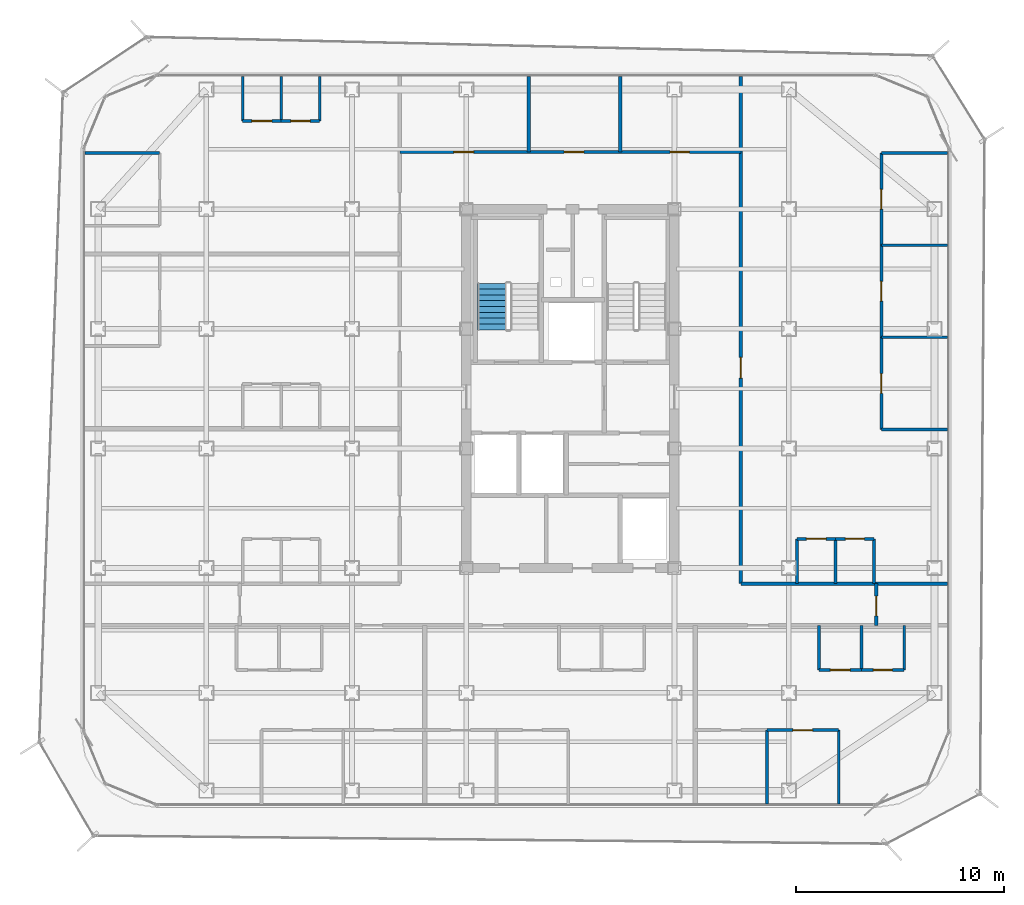
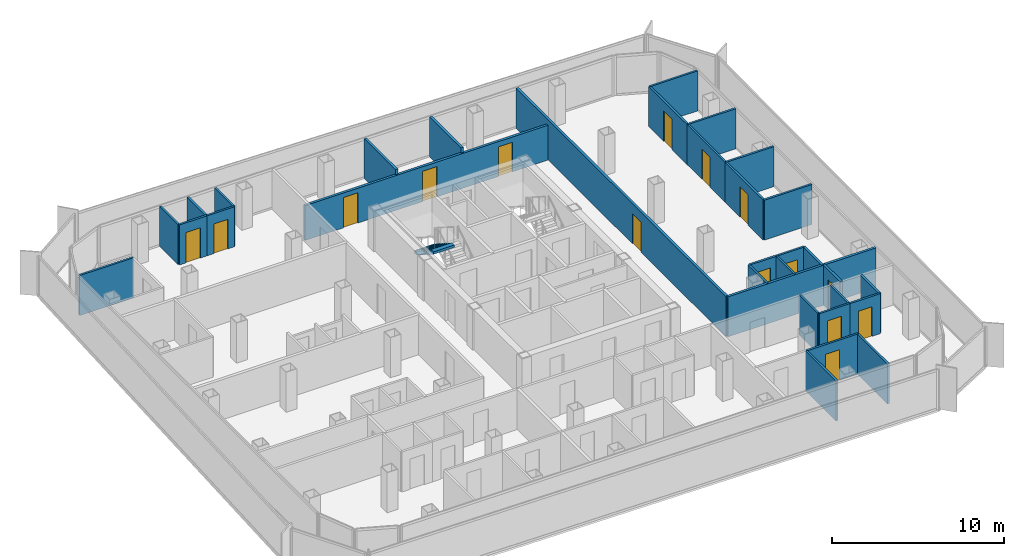
# One storey, part 12 of 16: 33 walls, 15 doors, 1 stair flight, 15 openings, 1 element without a shape of its own.
"""IFC4 building model written with IfcOpenShell, lengths in metres."""

from ifc_helpers import new_model, si_unit, direction, frame, frame_2d, origin, place, context, subcontext, project, spatial, polyline, rectangle, outline, extrude, material, layer, layer_set, type_object, element, fill, aggregate, save


model = new_model("IFC4")

# Units and contexts
model_context = context("Model", 3, precision=1e-05, world=origin(), true_north=direction((0.0, 1.0)))
body_context = subcontext(model_context, "Body", "Model", "MODEL_VIEW")
ifc_project = project(units=[si_unit("LENGTHUNIT", "METRE"), si_unit("AREAUNIT", "SQUARE_METRE"), si_unit("VOLUMEUNIT", "CUBIC_METRE"), si_unit("PLANEANGLEUNIT", "RADIAN"), si_unit("MASSUNIT", "GRAM", prefix="KILO")], contexts=[model_context])

# Site, building, storey
site_placement = place(None, origin())
site = spatial("IfcSite", under=ifc_project, at=site_placement, CompositionType="ELEMENT")
building_placement = place(site_placement, origin())
building = spatial("IfcBuilding", under=site, at=building_placement, Name="Kolveth Station Tower", CompositionType="ELEMENT")
storey_placement = place(building_placement, frame((0.0, 0.0, 212.39990234375)))
storey = spatial("IfcBuildingStorey", under=building, at=storey_placement, Name="L60", CompositionType="ELEMENT", Elevation=212.39990234375)

# Wall, opening, door
ifc_material_1 = material(Name="Moisture-resistant gypsum partition")
ifc_layer_1 = layer(ifc_material_1, 0.135009765625)
ifc_layer_set_1 = layer_set([ifc_layer_1], Name="Moisture-resistant gypsum partition")
wall_type_1 = type_object("IfcWallType", Name="Wall_IW-135", PredefinedType="PARTITIONING", material=ifc_layer_set_1)
wall_1_placement = place(storey_placement, frame((35.449951171875, 6.60009765625, 0.0), z_axis=(0.0, 0.0, 1.0), x_axis=(1.0, 0.0, 0.0)))
wall_1 = element("IfcWall", 1, at=wall_1_placement, inside=storey, type_object=wall_type_1, Name="L60 Partition Wall WL-L60-A3-IBHK", PredefinedType="PARTITIONING", context=body_context, shape_type="SweptSolid", body=[
    extrude(rectangle(XDim=2.050048828125, YDim=0.135009765625, at=frame_2d((1.02490234375, 0.0))), origin(), (0.0, 0.0, 1.0), 2.840087890625),
])
opening_1_placement = place(wall_1_placement, frame((0.544921875, 0.0, 0.0)))
opening_1 = element("IfcOpeningElement", 2, at=opening_1_placement, cuts=wall_1, Name="Opening ID1", PredefinedType="OPENING", context=body_context, shape_type="SweptSolid", body=[
    extrude(rectangle(XDim=0.949951171875, YDim=2.14990234375, at=frame_2d((0.47509765625, 1.074951171875))), frame((0.0, 0.077392578125, 0.0), z_axis=(0.0, -1.0, 0.0), x_axis=(1.0, 0.0, 0.0)), (0.0, 0.0, 1.0), 0.155029296875),
])
ifc_material_2 = material(Name="Acoustic hardwood leaf and aluminium frame", Category="wood")
door_type_1 = type_object("IfcDoorType", Name="Door_ID1", OperationType="NOTDEFINED", PredefinedType="DOOR", material=ifc_material_2)
door_1_placement = place(opening_1_placement, origin())
door_1 = element("IfcDoor", 3, at=door_1_placement, inside=storey, type_object=door_type_1, Name="Penthouse Flat L60-A3 Kitchen Door", OperationType="SINGLE_SWING_LEFT", OverallHeight=2.14990234375, OverallWidth=0.949951171875, PredefinedType="DOOR", context=body_context, shape_type="SweptSolid", body=[
    extrude(rectangle(XDim=0.949951171875, YDim=2.14990234375, at=frame_2d((0.47509765625, 1.074951171875))), frame((0.0, 0.02490234375, 0.0), z_axis=(0.0, -1.0, 0.0), x_axis=(1.0, 0.0, 0.0)), (0.0, 0.0, 1.0), 0.050048828125),
])
fill(opening_1, door_1)

wall_2_placement = place(storey_placement, frame((37.5, 6.60009765625, 0.0), z_axis=(0.0, 0.0, 1.0), x_axis=(1.0, 0.0, 0.0)))
wall_2 = element("IfcWall", 4, at=wall_2_placement, inside=storey, type_object=wall_type_1, Name="L60 Partition Wall WL-L60-A3-IBHB", PredefinedType="PARTITIONING", context=body_context, shape_type="SweptSolid", body=[
    extrude(rectangle(XDim=2.050048828125, YDim=0.135009765625, at=frame_2d((1.02490234375, 0.0))), origin(), (0.0, 0.0, 1.0), 2.840087890625),
])
opening_2_placement = place(wall_2_placement, frame((0.56494140625, 0.0, 0.0)))
opening_2 = element("IfcOpeningElement", 5, at=opening_2_placement, cuts=wall_2, Name="Opening ID2", PredefinedType="OPENING", context=body_context, shape_type="SweptSolid", body=[
    extrude(rectangle(XDim=0.919921875, YDim=2.10009765625, at=frame_2d((0.4599609375, 1.050048828125))), frame((0.0, 0.077392578125, 0.0), z_axis=(0.0, -1.0, 0.0), x_axis=(1.0, 0.0, 0.0)), (0.0, 0.0, 1.0), 0.155029296875),
])
ifc_material_3 = material(Name="Moisture-resistant hardwood leaf", Category="wood")
door_type_2 = type_object("IfcDoorType", Name="Door_ID2", OperationType="NOTDEFINED", PredefinedType="DOOR", material=ifc_material_3)
door_2_placement = place(opening_2_placement, origin())
door_2 = element("IfcDoor", 6, at=door_2_placement, inside=storey, type_object=door_type_2, Name="Penthouse Flat L60-A3 Bathroom Door", OperationType="SINGLE_SWING_RIGHT", OverallHeight=2.10009765625, OverallWidth=0.919921875, PredefinedType="DOOR", context=body_context, shape_type="SweptSolid", body=[
    extrude(rectangle(XDim=0.919921875, YDim=2.10009765625, at=frame_2d((0.4599609375, 1.050048828125))), frame((0.0, 0.02490234375, 0.0), z_axis=(0.0, -1.0, 0.0), x_axis=(1.0, 0.0, 0.0)), (0.0, 0.0, 1.0), 0.050048828125),
])
fill(opening_2, door_2)

# Walls
for number, where, z_axis, x_axis, name in (
    (7, (35.449951171875, 6.60009765625, 0.0), (0.0, 0.0, 1.0), (0.0, 1.0, 0.0), "L60 Partition Wall WL-L60-A3-IBV0"),
    (8, (37.5, 6.60009765625, 0.0), (0.0, 0.0, 1.0), (0.0, 1.0, 0.0), "L60 Partition Wall WL-L60-A3-IBV1"),
    (9, (39.550048828125, 6.60009765625, 0.0), (0.0, 0.0, 1.0), (0.0, 1.0, 0.0), "L60 Partition Wall WL-L60-A3-IBV2"),
):
    element("IfcWall", number, at=place(storey_placement, frame(where, z_axis=z_axis, x_axis=x_axis)), inside=storey, type_object=wall_type_1, Name=name, PredefinedType="PARTITIONING", context=body_context, shape_type="SweptSolid", body=[
        extrude(rectangle(XDim=2.14990234375, YDim=0.135009765625, at=frame_2d((1.074951171875, 0.0))), origin(), (0.0, 0.0, 1.0), 2.840087890625),
    ])
wall_3_placement = place(storey_placement, frame((36.39990234375, 0.159912109375, 0.0), z_axis=(0.0, 0.0, 1.0), x_axis=(0.0, 1.0, 0.0)))
element("IfcWall", 10, at=wall_3_placement, inside=storey, type_object=wall_type_1, Name="L60 Partition Wall WL-L60-A3-BDVE", PredefinedType="PARTITIONING", context=body_context, shape_type="SweptSolid", body=[
    extrude(rectangle(XDim=3.550048828125, YDim=0.135009765625, at=frame_2d((1.77490234375, 0.0))), origin(), (0.0, 0.0, 1.0), 2.840087890625),
])

# Wall, opening, door
wall_4_placement = place(storey_placement, frame((32.949951171875, 3.7099609375, 0.0), z_axis=(0.0, 0.0, 1.0), x_axis=(1.0, 0.0, 0.0)))
wall_4 = element("IfcWall", 11, at=wall_4_placement, inside=storey, type_object=wall_type_1, Name="L60 Partition Wall WL-L60-A3-BDH2", PredefinedType="PARTITIONING", context=body_context, shape_type="SweptSolid", body=[
    extrude(rectangle(XDim=3.449951171875, YDim=0.135009765625, at=frame_2d((1.72509765625, 0.0))), origin(), (0.0, 0.0, 1.0), 2.840087890625),
])
opening_3_placement = place(wall_4_placement, frame((1.2451171875, 0.0, 0.0)))
opening_3 = element("IfcOpeningElement", 12, at=opening_3_placement, cuts=wall_4, Name="Opening ID1", PredefinedType="OPENING", context=body_context, shape_type="SweptSolid", body=[
    extrude(rectangle(XDim=0.949951171875, YDim=2.14990234375, at=frame_2d((0.47509765625, 1.074951171875))), frame((0.0, 0.077392578125, 0.0), z_axis=(0.0, -1.0, 0.0), x_axis=(1.0, 0.0, 0.0)), (0.0, 0.0, 1.0), 0.155029296875),
])
door_3_placement = place(opening_3_placement, frame((0.949951171875, 0.0, 0.0), z_axis=(0.0, 0.0, 1.0), x_axis=(-1.0, 0.0, 0.0)))
door_3 = element("IfcDoor", 13, at=door_3_placement, inside=storey, type_object=door_type_1, Name="Penthouse Flat L60-A3 Bedroom 2 Door", OperationType="SINGLE_SWING_RIGHT", OverallHeight=2.14990234375, OverallWidth=0.949951171875, PredefinedType="DOOR", context=body_context, shape_type="SweptSolid", body=[
    extrude(rectangle(XDim=0.949951171875, YDim=2.14990234375, at=frame_2d((0.47509765625, 1.074951171875))), frame((0.0, 0.02490234375, 0.0), z_axis=(0.0, -1.0, 0.0), x_axis=(1.0, 0.0, 0.0)), (0.0, 0.0, 1.0), 0.050048828125),
])
fill(opening_3, door_3)

# Wall
wall_5_placement = place(storey_placement, frame((32.949951171875, 0.159912109375, 0.0), z_axis=(0.0, 0.0, 1.0), x_axis=(0.0, 1.0, 0.0)))
element("IfcWall", 14, at=wall_5_placement, inside=storey, type_object=wall_type_1, Name="L60 Partition Wall WL-L60-A3-BDV1", PredefinedType="PARTITIONING", context=body_context, shape_type="SweptSolid", body=[
    extrude(rectangle(XDim=3.550048828125, YDim=0.135009765625, at=frame_2d((1.77490234375, 0.0))), origin(), (0.0, 0.0, 1.0), 2.840087890625),
])

# Wall, opening, door
wall_6_placement = place(storey_placement, frame((7.75, 32.989990234375, 0.0), z_axis=(0.0, 0.0, 1.0), x_axis=(1.0, 0.0, 0.0)))
wall_6 = element("IfcWall", 15, at=wall_6_placement, inside=storey, type_object=wall_type_1, Name="L60 Partition Wall WL-L60-W3-IBHK", PredefinedType="PARTITIONING", context=body_context, shape_type="SweptSolid", body=[
    extrude(rectangle(XDim=1.85009765625, YDim=0.135009765625, at=frame_2d((0.925048828125, 0.0))), origin(), (0.0, 0.0, 1.0), 2.840087890625),
])
opening_4_placement = place(wall_6_placement, frame((0.445068359375, 0.0, 0.0)))
opening_4 = element("IfcOpeningElement", 16, at=opening_4_placement, cuts=wall_6, Name="Opening ID1", PredefinedType="OPENING", context=body_context, shape_type="SweptSolid", body=[
    extrude(rectangle(XDim=0.949951171875, YDim=2.14990234375, at=frame_2d((0.47509765625, 1.074951171875))), frame((0.0, 0.077392578125, 0.0), z_axis=(0.0, -1.0, 0.0), x_axis=(1.0, 0.0, 0.0)), (0.0, 0.0, 1.0), 0.155029296875),
])
door_4_placement = place(opening_4_placement, frame((0.949951171875, 0.0, 0.0), z_axis=(0.0, 0.0, 1.0), x_axis=(-1.0, 0.0, 0.0)))
door_4 = element("IfcDoor", 17, at=door_4_placement, inside=storey, type_object=door_type_1, Name="Penthouse Flat L60-W3 Kitchen Door", OperationType="SINGLE_SWING_LEFT", OverallHeight=2.14990234375, OverallWidth=0.949951171875, PredefinedType="DOOR", context=body_context, shape_type="SweptSolid", body=[
    extrude(rectangle(XDim=0.949951171875, YDim=2.14990234375, at=frame_2d((0.47509765625, 1.074951171875))), frame((0.0, 0.02490234375, 0.0), z_axis=(0.0, -1.0, 0.0), x_axis=(1.0, 0.0, 0.0)), (0.0, 0.0, 1.0), 0.050048828125),
])
fill(opening_4, door_4)

wall_7_placement = place(storey_placement, frame((9.60009765625, 32.989990234375, 0.0), z_axis=(0.0, 0.0, 1.0), x_axis=(1.0, 0.0, 0.0)))
wall_7 = element("IfcWall", 18, at=wall_7_placement, inside=storey, type_object=wall_type_1, Name="L60 Partition Wall WL-L60-W3-IBHB", PredefinedType="PARTITIONING", context=body_context, shape_type="SweptSolid", body=[
    extrude(rectangle(XDim=1.849853515625, YDim=0.135009765625, at=frame_2d((0.9248046875, 0.0))), origin(), (0.0, 0.0, 1.0), 2.840087890625),
])
opening_5_placement = place(wall_7_placement, frame((0.465087890625, 0.0, 0.0)))
opening_5 = element("IfcOpeningElement", 19, at=opening_5_placement, cuts=wall_7, Name="Opening ID2", PredefinedType="OPENING", context=body_context, shape_type="SweptSolid", body=[
    extrude(rectangle(XDim=0.919921875, YDim=2.10009765625, at=frame_2d((0.4599609375, 1.050048828125))), frame((0.0, 0.077392578125, 0.0), z_axis=(0.0, -1.0, 0.0), x_axis=(1.0, 0.0, 0.0)), (0.0, 0.0, 1.0), 0.155029296875),
])
door_5_placement = place(opening_5_placement, frame((0.919921875, 0.0, 0.0), z_axis=(0.0, 0.0, 1.0), x_axis=(-1.0, 0.0, 0.0)))
door_5 = element("IfcDoor", 20, at=door_5_placement, inside=storey, type_object=door_type_2, Name="Penthouse Flat L60-W3 Bathroom Door", OperationType="SINGLE_SWING_LEFT", OverallHeight=2.10009765625, OverallWidth=0.919921875, PredefinedType="DOOR", context=body_context, shape_type="SweptSolid", body=[
    extrude(rectangle(XDim=0.919921875, YDim=2.10009765625, at=frame_2d((0.4599609375, 1.050048828125))), frame((0.0, 0.02490234375, 0.0), z_axis=(0.0, -1.0, 0.0), x_axis=(1.0, 0.0, 0.0)), (0.0, 0.0, 1.0), 0.050048828125),
])
fill(opening_5, door_5)

# Walls
for number, where, z_axis, x_axis, name in (
    (21, (7.75, 32.989990234375, 0.0), (0.0, 0.0, 1.0), (0.0, 1.0, 0.0), "L60 Partition Wall WL-L60-W3-IBV0"),
    (22, (9.60009765625, 32.989990234375, 0.0), (0.0, 0.0, 1.0), (0.0, 1.0, 0.0), "L60 Partition Wall WL-L60-W3-IBV1"),
    (23, (11.449951171875, 32.989990234375, 0.0), (0.0, 0.0, 1.0), (0.0, 1.0, 0.0), "L60 Partition Wall WL-L60-W3-IBV2"),
):
    element("IfcWall", number, at=place(storey_placement, frame(where, z_axis=z_axis, x_axis=x_axis)), inside=storey, type_object=wall_type_1, Name=name, PredefinedType="PARTITIONING", context=body_context, shape_type="SweptSolid", body=[
        extrude(rectangle(XDim=2.14990234375, YDim=0.135009765625, at=frame_2d((1.074951171875, 0.0))), origin(), (0.0, 0.0, 1.0), 2.840087890625),
    ])
wall_8_placement = place(storey_placement, frame((0.159912109375, 31.449951171875, 0.0), z_axis=(0.0, 0.0, 1.0), x_axis=(1.0, 0.0, 0.0)))
element("IfcWall", 24, at=wall_8_placement, inside=storey, type_object=wall_type_1, Name="L60 Partition Wall WL-L60-W3-BDHE", PredefinedType="PARTITIONING", context=body_context, shape_type="SweptSolid", body=[
    extrude(rectangle(XDim=3.60009765625, YDim=0.135009765625, at=frame_2d((1.800048828125, 0.0))), origin(), (0.0, 0.0, 1.0), 2.840087890625),
])

# Wall, opening, door
wall_9_placement = place(storey_placement, frame((34.39990234375, 12.89990234375, 0.0), z_axis=(0.0, 0.0, 1.0), x_axis=(1.0, 0.0, 0.0)))
wall_9 = element("IfcWall", 25, at=wall_9_placement, inside=storey, type_object=wall_type_1, Name="L60 Partition Wall WL-L60-E1-IBHK", PredefinedType="PARTITIONING", context=body_context, shape_type="SweptSolid", body=[
    extrude(rectangle(XDim=1.85009765625, YDim=0.135009765625, at=frame_2d((0.925048828125, 0.0))), origin(), (0.0, 0.0, 1.0), 2.840087890625),
])
opening_6_placement = place(wall_9_placement, frame((0.445068359375, 0.0, 0.0)))
opening_6 = element("IfcOpeningElement", 26, at=opening_6_placement, cuts=wall_9, Name="Opening ID1", PredefinedType="OPENING", context=body_context, shape_type="SweptSolid", body=[
    extrude(rectangle(XDim=0.949951171875, YDim=2.14990234375, at=frame_2d((0.47509765625, 1.074951171875))), frame((0.0, 0.077392578125, 0.0), z_axis=(0.0, -1.0, 0.0), x_axis=(1.0, 0.0, 0.0)), (0.0, 0.0, 1.0), 0.155029296875),
])
door_6_placement = place(opening_6_placement, origin())
door_6 = element("IfcDoor", 27, at=door_6_placement, inside=storey, type_object=door_type_1, Name="Penthouse Flat L60-E1 Kitchen Door", OperationType="SINGLE_SWING_LEFT", OverallHeight=2.14990234375, OverallWidth=0.949951171875, PredefinedType="DOOR", context=body_context, shape_type="SweptSolid", body=[
    extrude(rectangle(XDim=0.949951171875, YDim=2.14990234375, at=frame_2d((0.47509765625, 1.074951171875))), frame((0.0, 0.02490234375, 0.0), z_axis=(0.0, -1.0, 0.0), x_axis=(1.0, 0.0, 0.0)), (0.0, 0.0, 1.0), 0.050048828125),
])
fill(opening_6, door_6)

wall_10_placement = place(storey_placement, frame((36.25, 12.89990234375, 0.0), z_axis=(0.0, 0.0, 1.0), x_axis=(1.0, 0.0, 0.0)))
wall_10 = element("IfcWall", 28, at=wall_10_placement, inside=storey, type_object=wall_type_1, Name="L60 Partition Wall WL-L60-E1-IBHB", PredefinedType="PARTITIONING", context=body_context, shape_type="SweptSolid", body=[
    extrude(rectangle(XDim=1.85009765625, YDim=0.135009765625, at=frame_2d((0.925048828125, 0.0))), origin(), (0.0, 0.0, 1.0), 2.840087890625),
])
opening_7_placement = place(wall_10_placement, frame((0.465087890625, 0.0, 0.0)))
opening_7 = element("IfcOpeningElement", 29, at=opening_7_placement, cuts=wall_10, Name="Opening ID2", PredefinedType="OPENING", context=body_context, shape_type="SweptSolid", body=[
    extrude(rectangle(XDim=0.919921875, YDim=2.10009765625, at=frame_2d((0.4599609375, 1.050048828125))), frame((0.0, 0.077392578125, 0.0), z_axis=(0.0, -1.0, 0.0), x_axis=(1.0, 0.0, 0.0)), (0.0, 0.0, 1.0), 0.155029296875),
])
door_7_placement = place(opening_7_placement, origin())
door_7 = element("IfcDoor", 30, at=door_7_placement, inside=storey, type_object=door_type_2, Name="Penthouse Flat L60-E1 Bathroom Door", OperationType="SINGLE_SWING_RIGHT", OverallHeight=2.10009765625, OverallWidth=0.919921875, PredefinedType="DOOR", context=body_context, shape_type="SweptSolid", body=[
    extrude(rectangle(XDim=0.919921875, YDim=2.10009765625, at=frame_2d((0.4599609375, 1.050048828125))), frame((0.0, 0.02490234375, 0.0), z_axis=(0.0, -1.0, 0.0), x_axis=(1.0, 0.0, 0.0)), (0.0, 0.0, 1.0), 0.050048828125),
])
fill(opening_7, door_7)

# Walls
for number, where, z_axis, x_axis, name in (
    (31, (34.39990234375, 10.75, 0.0), (0.0, 0.0, 1.0), (0.0, 1.0, 0.0), "L60 Partition Wall WL-L60-E1-IBV0"),
    (32, (36.25, 10.75, 0.0), (0.0, 0.0, 1.0), (0.0, 1.0, 0.0), "L60 Partition Wall WL-L60-E1-IBV1"),
    (33, (38.10009765625, 10.75, 0.0), (0.0, 0.0, 1.0), (0.0, 1.0, 0.0), "L60 Partition Wall WL-L60-E1-IBV2"),
):
    element("IfcWall", number, at=place(storey_placement, frame(where, z_axis=z_axis, x_axis=x_axis)), inside=storey, type_object=wall_type_1, Name=name, PredefinedType="PARTITIONING", context=body_context, shape_type="SweptSolid", body=[
        extrude(rectangle(XDim=2.14990234375, YDim=0.135009765625, at=frame_2d((1.074951171875, 0.0))), origin(), (0.0, 0.0, 1.0), 2.840087890625),
    ])
for number, where, z_axis, x_axis, name in (
    (34, (38.449951171875, 18.166015625, 0.0), (0.0, 0.0, 1.0), (1.0, 0.0, 0.0), "L60 Partition Wall WL-L60-E1-BDH0"),
    (35, (38.449951171875, 31.449951171875, 0.0), (0.0, 0.0, 1.0), (1.0, 0.0, 0.0), "L60 Partition Wall WL-L60-E1-BDHE"),
):
    element("IfcWall", number, at=place(storey_placement, frame(where, z_axis=z_axis, x_axis=x_axis)), inside=storey, type_object=wall_type_1, Name=name, PredefinedType="PARTITIONING", context=body_context, shape_type="SweptSolid", body=[
        extrude(rectangle(XDim=3.18994140625, YDim=0.135009765625, at=frame_2d((1.594970703125, 0.0))), origin(), (0.0, 0.0, 1.0), 2.840087890625),
    ])

# Wall, opening, door
wall_11_placement = place(storey_placement, frame((38.449951171875, 18.166015625, 0.0), z_axis=(0.0, 0.0, 1.0), x_axis=(0.0, 1.0, 0.0)))
wall_11 = element("IfcWall", 36, at=wall_11_placement, inside=storey, type_object=wall_type_1, Name="L60 Partition Wall WL-L60-E1-BDV1", PredefinedType="PARTITIONING", context=body_context, shape_type="SweptSolid", body=[
    extrude(rectangle(XDim=4.427978515625, YDim=0.135009765625, at=frame_2d((2.2138671875, 0.0))), origin(), (0.0, 0.0, 1.0), 2.840087890625),
])
opening_8_placement = place(wall_11_placement, frame((1.73388671875, 0.0, 0.0)))
opening_8 = element("IfcOpeningElement", 37, at=opening_8_placement, cuts=wall_11, Name="Opening ID1", PredefinedType="OPENING", context=body_context, shape_type="SweptSolid", body=[
    extrude(rectangle(XDim=0.949951171875, YDim=2.14990234375, at=frame_2d((0.47509765625, 1.074951171875))), frame((0.0, 0.077392578125, 0.0), z_axis=(0.0, -1.0, 0.0), x_axis=(1.0, 0.0, 0.0)), (0.0, 0.0, 1.0), 0.155029296875),
])
door_8_placement = place(opening_8_placement, frame((0.949951171875, 0.0, 0.0), z_axis=(0.0, 0.0, 1.0), x_axis=(-1.0, 0.0, 0.0)))
door_8 = element("IfcDoor", 38, at=door_8_placement, inside=storey, type_object=door_type_1, Name="Penthouse Flat L60-E1 Bedroom 1 Door", OperationType="SINGLE_SWING_LEFT", OverallHeight=2.14990234375, OverallWidth=0.949951171875, PredefinedType="DOOR", context=body_context, shape_type="SweptSolid", body=[
    extrude(rectangle(XDim=0.949951171875, YDim=2.14990234375, at=frame_2d((0.47509765625, 1.074951171875))), frame((0.0, 0.02490234375, 0.0), z_axis=(0.0, -1.0, 0.0), x_axis=(1.0, 0.0, 0.0)), (0.0, 0.0, 1.0), 0.050048828125),
])
fill(opening_8, door_8)

wall_12_placement = place(storey_placement, frame((38.449951171875, 22.593994140625, 0.0), z_axis=(0.0, 0.0, 1.0), x_axis=(0.0, 1.0, 0.0)))
wall_12 = element("IfcWall", 39, at=wall_12_placement, inside=storey, type_object=wall_type_1, Name="L60 Partition Wall WL-L60-E1-BDV2", PredefinedType="PARTITIONING", context=body_context, shape_type="SweptSolid", body=[
    extrude(rectangle(XDim=4.427978515625, YDim=0.135009765625, at=frame_2d((2.2138671875, 0.0))), origin(), (0.0, 0.0, 1.0), 2.840087890625),
])
opening_9_placement = place(wall_12_placement, frame((1.73388671875, 0.0, 0.0)))
opening_9 = element("IfcOpeningElement", 40, at=opening_9_placement, cuts=wall_12, Name="Opening ID1", PredefinedType="OPENING", context=body_context, shape_type="SweptSolid", body=[
    extrude(rectangle(XDim=0.949951171875, YDim=2.14990234375, at=frame_2d((0.47509765625, 1.074951171875))), frame((0.0, 0.077392578125, 0.0), z_axis=(0.0, -1.0, 0.0), x_axis=(1.0, 0.0, 0.0)), (0.0, 0.0, 1.0), 0.155029296875),
])
door_9_placement = place(opening_9_placement, frame((0.949951171875, 0.0, 0.0), z_axis=(0.0, 0.0, 1.0), x_axis=(-1.0, 0.0, 0.0)))
door_9 = element("IfcDoor", 41, at=door_9_placement, inside=storey, type_object=door_type_1, Name="Penthouse Flat L60-E1 Bedroom 2 Door", OperationType="SINGLE_SWING_RIGHT", OverallHeight=2.14990234375, OverallWidth=0.949951171875, PredefinedType="DOOR", context=body_context, shape_type="SweptSolid", body=[
    extrude(rectangle(XDim=0.949951171875, YDim=2.14990234375, at=frame_2d((0.47509765625, 1.074951171875))), frame((0.0, 0.02490234375, 0.0), z_axis=(0.0, -1.0, 0.0), x_axis=(1.0, 0.0, 0.0)), (0.0, 0.0, 1.0), 0.050048828125),
])
fill(opening_9, door_9)

# Wall
wall_13_placement = place(storey_placement, frame((38.449951171875, 22.593994140625, 0.0), z_axis=(0.0, 0.0, 1.0), x_axis=(1.0, 0.0, 0.0)))
element("IfcWall", 42, at=wall_13_placement, inside=storey, type_object=wall_type_1, Name="L60 Partition Wall WL-L60-E1-BDH1", PredefinedType="PARTITIONING", context=body_context, shape_type="SweptSolid", body=[
    extrude(rectangle(XDim=3.18994140625, YDim=0.135009765625, at=frame_2d((1.594970703125, 0.0))), origin(), (0.0, 0.0, 1.0), 2.840087890625),
])

# Wall, opening, door
wall_14_placement = place(storey_placement, frame((38.449951171875, 27.02197265625, 0.0), z_axis=(0.0, 0.0, 1.0), x_axis=(0.0, 1.0, 0.0)))
wall_14 = element("IfcWall", 43, at=wall_14_placement, inside=storey, type_object=wall_type_1, Name="L60 Partition Wall WL-L60-E1-BDV3", PredefinedType="PARTITIONING", context=body_context, shape_type="SweptSolid", body=[
    extrude(rectangle(XDim=4.427978515625, YDim=0.135009765625, at=frame_2d((2.2138671875, 0.0))), origin(), (0.0, 0.0, 1.0), 2.840087890625),
])
opening_10_placement = place(wall_14_placement, frame((1.73388671875, 0.0, 0.0)))
opening_10 = element("IfcOpeningElement", 44, at=opening_10_placement, cuts=wall_14, Name="Opening ID1", PredefinedType="OPENING", context=body_context, shape_type="SweptSolid", body=[
    extrude(rectangle(XDim=0.949951171875, YDim=2.14990234375, at=frame_2d((0.47509765625, 1.074951171875))), frame((0.0, 0.077392578125, 0.0), z_axis=(0.0, -1.0, 0.0), x_axis=(1.0, 0.0, 0.0)), (0.0, 0.0, 1.0), 0.155029296875),
])
door_10_placement = place(opening_10_placement, frame((0.949951171875, 0.0, 0.0), z_axis=(0.0, 0.0, 1.0), x_axis=(-1.0, 0.0, 0.0)))
door_10 = element("IfcDoor", 45, at=door_10_placement, inside=storey, type_object=door_type_1, Name="Penthouse Flat L60-E1 Bedroom 3 Door", OperationType="SINGLE_SWING_LEFT", OverallHeight=2.14990234375, OverallWidth=0.949951171875, PredefinedType="DOOR", context=body_context, shape_type="SweptSolid", body=[
    extrude(rectangle(XDim=0.949951171875, YDim=2.14990234375, at=frame_2d((0.47509765625, 1.074951171875))), frame((0.0, 0.02490234375, 0.0), z_axis=(0.0, -1.0, 0.0), x_axis=(1.0, 0.0, 0.0)), (0.0, 0.0, 1.0), 0.050048828125),
])
fill(opening_10, door_10)

# Walls
wall_15_placement = place(storey_placement, frame((38.449951171875, 27.02197265625, 0.0), z_axis=(0.0, 0.0, 1.0), x_axis=(1.0, 0.0, 0.0)))
element("IfcWall", 46, at=wall_15_placement, inside=storey, type_object=wall_type_1, Name="L60 Partition Wall WL-L60-E1-BDH2", PredefinedType="PARTITIONING", context=body_context, shape_type="SweptSolid", body=[
    extrude(rectangle(XDim=3.18994140625, YDim=0.135009765625, at=frame_2d((1.594970703125, 0.0))), origin(), (0.0, 0.0, 1.0), 2.840087890625),
])
ifc_material_4 = material(Name="Acoustic double-stud gypsum partition")
ifc_layer_2 = layer(ifc_material_4, 0.1650390625)
ifc_layer_set_2 = layer_set([ifc_layer_2], Name="Acoustic double-stud gypsum partition")
wall_type_2 = type_object("IfcWallType", Name="Wall_IW-165", PredefinedType="PARTITIONING", material=ifc_layer_set_2)
wall_16_placement = place(storey_placement, frame((31.699951171875, 10.75, 0.0), z_axis=(0.0, 0.0, 1.0), x_axis=(1.0, 0.0, 0.0)))
element("IfcWall", 47, at=wall_16_placement, inside=storey, type_object=wall_type_2, Name="L60 Partition Wall WL-L60-RSET", PredefinedType="PARTITIONING", context=body_context, shape_type="SweptSolid", body=[
    extrude(rectangle(XDim=6.5, YDim=0.1650390625, at=frame_2d((3.25, 0.0))), origin(), (0.0, 0.0, 1.0), 2.840087890625),
])

# Wall, opening, door
wall_17_placement = place(storey_placement, frame((38.199951171875, 8.75, 0.0), z_axis=(0.0, 0.0, 1.0), x_axis=(0.0, 1.0, 0.0)))
wall_17 = element("IfcWall", 48, at=wall_17_placement, inside=storey, type_object=wall_type_2, Name="L60 Partition Wall WL-L60-RSEE", PredefinedType="PARTITIONING", context=body_context, shape_type="SweptSolid", body=[
    extrude(rectangle(XDim=2.0, YDim=0.1650390625, at=frame_2d((1.0, 0.0))), origin(), (0.0, 0.0, 1.0), 2.840087890625),
])
opening_11_placement = place(wall_17_placement, frame((0.449951171875, 0.0, 0.0)))
opening_11 = element("IfcOpeningElement", 49, at=opening_11_placement, cuts=wall_17, Name="Opening ID1", PredefinedType="OPENING", context=body_context, shape_type="SweptSolid", body=[
    extrude(rectangle(XDim=0.949951171875, YDim=2.14990234375, at=frame_2d((0.47509765625, 1.074951171875))), frame((0.0, 0.092529296875, 0.0), z_axis=(0.0, -1.0, 0.0), x_axis=(1.0, 0.0, 0.0)), (0.0, 0.0, 1.0), 0.18505859375),
])
door_11_placement = place(opening_11_placement, origin())
door_11 = element("IfcDoor", 50, at=door_11_placement, inside=storey, type_object=door_type_1, Name="L60 Hobby Study Door", OperationType="SINGLE_SWING_LEFT", OverallHeight=2.14990234375, OverallWidth=0.949951171875, PredefinedType="DOOR", context=body_context, shape_type="SweptSolid", body=[
    extrude(rectangle(XDim=0.949951171875, YDim=2.14990234375, at=frame_2d((0.47509765625, 1.074951171875))), frame((0.0, 0.02490234375, 0.0), z_axis=(0.0, -1.0, 0.0), x_axis=(1.0, 0.0, 0.0)), (0.0, 0.0, 1.0), 0.050048828125),
])
fill(opening_11, door_11)

# Wall, openings, doors
wall_18_placement = place(storey_placement, frame((15.300048828125, 31.5, 0.0), z_axis=(0.0, 0.0, 1.0), x_axis=(1.0, 0.0, 0.0)))
wall_18 = element("IfcWall", 51, at=wall_18_placement, inside=storey, type_object=wall_type_2, Name="L60 Partition Wall WL-L60-RN", PredefinedType="PARTITIONING", context=body_context, shape_type="SweptSolid", body=[
    extrude(rectangle(XDim=16.39990234375, YDim=0.1650390625, at=frame_2d((8.199951171875, 0.0))), origin(), (0.0, 0.0, 1.0), 2.47314453125),
])
opening_12_placement = place(wall_18_placement, frame((2.60009765625, 0.0, 0.0)))
opening_12 = element("IfcOpeningElement", 52, at=opening_12_placement, cuts=wall_18, Name="Opening ID1", PredefinedType="OPENING", context=body_context, shape_type="SweptSolid", body=[
    extrude(rectangle(XDim=0.949951171875, YDim=2.14990234375, at=frame_2d((0.47509765625, 1.074951171875))), frame((0.0, 0.092529296875, 0.0), z_axis=(0.0, -1.0, 0.0), x_axis=(1.0, 0.0, 0.0)), (0.0, 0.0, 1.0), 0.18505859375),
])
opening_13_placement = place(wall_18_placement, frame((7.89990234375, 0.0, 0.0)))
opening_13 = element("IfcOpeningElement", 53, at=opening_13_placement, cuts=wall_18, Name="Opening ID1", PredefinedType="OPENING", context=body_context, shape_type="SweptSolid", body=[
    extrude(rectangle(XDim=0.949951171875, YDim=2.14990234375, at=frame_2d((0.47509765625, 1.074951171875))), frame((0.0, 0.092529296875, 0.0), z_axis=(0.0, -1.0, 0.0), x_axis=(1.0, 0.0, 0.0)), (0.0, 0.0, 1.0), 0.18505859375),
])
opening_14_placement = place(wall_18_placement, frame((13.0, 0.0, 0.0)))
opening_14 = element("IfcOpeningElement", 54, at=opening_14_placement, cuts=wall_18, Name="Opening ID2", PredefinedType="OPENING", context=body_context, shape_type="SweptSolid", body=[
    extrude(rectangle(XDim=0.919921875, YDim=2.10009765625, at=frame_2d((0.4599609375, 1.050048828125))), frame((0.0, 0.092529296875, 0.0), z_axis=(0.0, -1.0, 0.0), x_axis=(1.0, 0.0, 0.0)), (0.0, 0.0, 1.0), 0.18505859375),
])
door_12_placement = place(opening_12_placement, origin())
door_12 = element("IfcDoor", 55, at=door_12_placement, inside=storey, type_object=door_type_1, Name="L60 Quiet Study 1 Door", OperationType="SINGLE_SWING_LEFT", OverallHeight=2.14990234375, OverallWidth=0.949951171875, PredefinedType="DOOR", context=body_context, shape_type="SweptSolid", body=[
    extrude(rectangle(XDim=0.949951171875, YDim=2.14990234375, at=frame_2d((0.47509765625, 1.074951171875))), frame((0.0, 0.02490234375, 0.0), z_axis=(0.0, -1.0, 0.0), x_axis=(1.0, 0.0, 0.0)), (0.0, 0.0, 1.0), 0.050048828125),
])
fill(opening_12, door_12)
door_13_placement = place(opening_13_placement, origin())
door_13 = element("IfcDoor", 56, at=door_13_placement, inside=storey, type_object=door_type_1, Name="L60 Quiet Study 2 Door", OperationType="SINGLE_SWING_LEFT", OverallHeight=2.14990234375, OverallWidth=0.949951171875, PredefinedType="DOOR", context=body_context, shape_type="SweptSolid", body=[
    extrude(rectangle(XDim=0.949951171875, YDim=2.14990234375, at=frame_2d((0.47509765625, 1.074951171875))), frame((0.0, 0.02490234375, 0.0), z_axis=(0.0, -1.0, 0.0), x_axis=(1.0, 0.0, 0.0)), (0.0, 0.0, 1.0), 0.050048828125),
])
fill(opening_13, door_13)
door_14_placement = place(opening_14_placement, origin())
door_14 = element("IfcDoor", 57, at=door_14_placement, inside=storey, type_object=door_type_2, Name="L60 Accessible Residents' WC Door", OperationType="SINGLE_SWING_LEFT", OverallHeight=2.10009765625, OverallWidth=0.919921875, PredefinedType="DOOR", context=body_context, shape_type="SweptSolid", body=[
    extrude(rectangle(XDim=0.919921875, YDim=2.10009765625, at=frame_2d((0.4599609375, 1.050048828125))), frame((0.0, 0.02490234375, 0.0), z_axis=(0.0, -1.0, 0.0), x_axis=(1.0, 0.0, 0.0)), (0.0, 0.0, 1.0), 0.050048828125),
])
fill(opening_14, door_14)

# Wall, opening, door
wall_19_placement = place(storey_placement, frame((31.699951171875, 10.75, 0.0), z_axis=(0.0, 0.0, 1.0), x_axis=(0.0, 1.0, 0.0)))
wall_19 = element("IfcWall", 58, at=wall_19_placement, inside=storey, type_object=wall_type_2, Name="L60 Partition Wall WL-L60-RE", PredefinedType="PARTITIONING", context=body_context, shape_type="SweptSolid", body=[
    extrude(rectangle(XDim=24.389892578125, YDim=0.1650390625, at=frame_2d((12.19482421875, 0.0))), origin(), (0.0, 0.0, 1.0), 2.840087890625),
])
opening_15_placement = place(wall_19_placement, frame((9.875, 0.0, 0.0)))
opening_15 = element("IfcOpeningElement", 59, at=opening_15_placement, cuts=wall_19, Name="Opening FD3", PredefinedType="OPENING", context=body_context, shape_type="SweptSolid", body=[
    extrude(rectangle(XDim=1.0, YDim=2.14990234375, at=frame_2d((0.5, 1.074951171875))), frame((0.0, 0.092529296875, 0.0), z_axis=(0.0, -1.0, 0.0), x_axis=(1.0, 0.0, 0.0)), (0.0, 0.0, 1.0), 0.18505859375),
])
ifc_material_5 = material(Name="Fire-rated hardwood leaf and aluminium frame", Category="wood")
door_type_3 = type_object("IfcDoorType", Name="Door_FD3", OperationType="NOTDEFINED", PredefinedType="DOOR", material=ifc_material_5)
door_15_placement = place(opening_15_placement, frame((1.0, 0.0, 0.0), z_axis=(0.0, 0.0, 1.0), x_axis=(-1.0, 0.0, 0.0)))
door_15 = element("IfcDoor", 60, at=door_15_placement, inside=storey, type_object=door_type_3, Name="Penthouse Flat L60-E1 Entrance Door", OperationType="SINGLE_SWING_RIGHT", OverallHeight=2.14990234375, OverallWidth=1.0, PredefinedType="DOOR", context=body_context, shape_type="SweptSolid", body=[
    extrude(rectangle(XDim=1.0, YDim=2.14990234375, at=frame_2d((0.5, 1.074951171875))), frame((0.0, 0.02490234375, 0.0), z_axis=(0.0, -1.0, 0.0), x_axis=(1.0, 0.0, 0.0)), (0.0, 0.0, 1.0), 0.050048828125),
])
fill(opening_15, door_15)

# Walls
wall_20_placement = place(storey_placement, frame((38.199951171875, 10.75, 0.0), z_axis=(0.0, 0.0, 1.0), x_axis=(1.0, 0.0, 0.0)))
element("IfcWall", 61, at=wall_20_placement, inside=storey, type_object=wall_type_2, Name="L60 Partition Wall WL-L60-ESTN", PredefinedType="PARTITIONING", context=body_context, shape_type="SweptSolid", body=[
    extrude(rectangle(XDim=3.43994140625, YDim=0.1650390625, at=frame_2d((1.719970703125, 0.0))), origin(), (0.0, 0.0, 1.0), 2.840087890625),
])
for number, where, z_axis, x_axis, name in (
    (62, (21.5, 31.5, 0.0), (0.0, 0.0, 1.0), (0.0, 1.0, 0.0), "L60 Partition Wall WL-L60-RN-P1"),
    (63, (25.89990234375, 31.5, 0.0), (0.0, 0.0, 1.0), (0.0, 1.0, 0.0), "L60 Partition Wall WL-L60-RN-P2"),
):
    element("IfcWall", number, at=place(storey_placement, frame(where, z_axis=z_axis, x_axis=x_axis)), inside=storey, type_object=wall_type_2, Name=name, PredefinedType="PARTITIONING", context=body_context, shape_type="SweptSolid", body=[
        extrude(rectangle(XDim=3.639892578125, YDim=0.1650390625, at=frame_2d((1.81982421875, 0.0))), origin(), (0.0, 0.0, 1.0), 2.840087890625),
    ])

# Stair, stair flight
ifc_material_6 = material(Name="Concrete C40/50", Category="concrete")
stair_type = type_object("IfcStairType", Name="Stair_ST1", PredefinedType="HALF_TURN_STAIR", material=ifc_material_6)
stair_placement = place(storey_placement, origin())
stair = element("IfcStair", 64, at=stair_placement, inside=storey, type_object=stair_type, Name="L60 Tower Exit Stair ST1", PredefinedType="HALF_TURN_STAIR")
ifc_layer_3 = layer(ifc_material_6, 0.179931640625)
ifc_layer_set_3 = layer_set([ifc_layer_3], Name="Concrete C40/50")
stair_flight_type = type_object("IfcStairFlightType", Name="Flight_ST1", PredefinedType="STRAIGHT", material=ifc_layer_set_3)
stair_flight_placement = place(storey_placement, frame((19.739990234375, 25.18994140625, 1.60009765625), z_axis=(0.0, 0.0, 1.0), x_axis=(0.0, -1.0, 0.0)))
stair_flight = element("IfcStairFlight", 65, at=stair_flight_placement, type_object=stair_flight_type, Name="ST1 flight 2", NumberOfRisers=9, NumberOfTreads=8, PredefinedType="STRAIGHT", RiserHeight=0.177777778, TreadLength=0.28, context=body_context, shape_type="SweptSolid", body=[
    extrude(outline(polyline([(0.0, 0.0), (0.0, 0.177734375), (0.280029296875, 0.177734375), (0.280029296875, 0.35546875), (0.56005859375, 0.35546875), (0.56005859375, 0.533447265625), (0.840087890625, 0.533447265625), (0.840087890625, 0.711181640625), (1.1201171875, 0.711181640625), (1.1201171875, 0.888916015625), (1.39990234375, 0.888916015625), (1.39990234375, 1.066650390625), (1.679931640625, 1.066650390625), (1.679931640625, 1.244384765625), (1.9599609375, 1.244384765625), (1.9599609375, 1.422119140625), (2.239990234375, 1.422119140625), (2.239990234375, 1.60009765625), (2.239990234375, 1.24462890625), (0.27978515625, 0.0), (0.0, 0.0)])), frame((0.0, 0.699951171875, 0.0), z_axis=(0.0, -1.0, 0.0), x_axis=(1.0, 0.0, 0.0)), (0.0, 0.0, 1.0), 1.39990234375),
])
aggregate(stair, [stair_flight])

save(model, "model.ifc")
